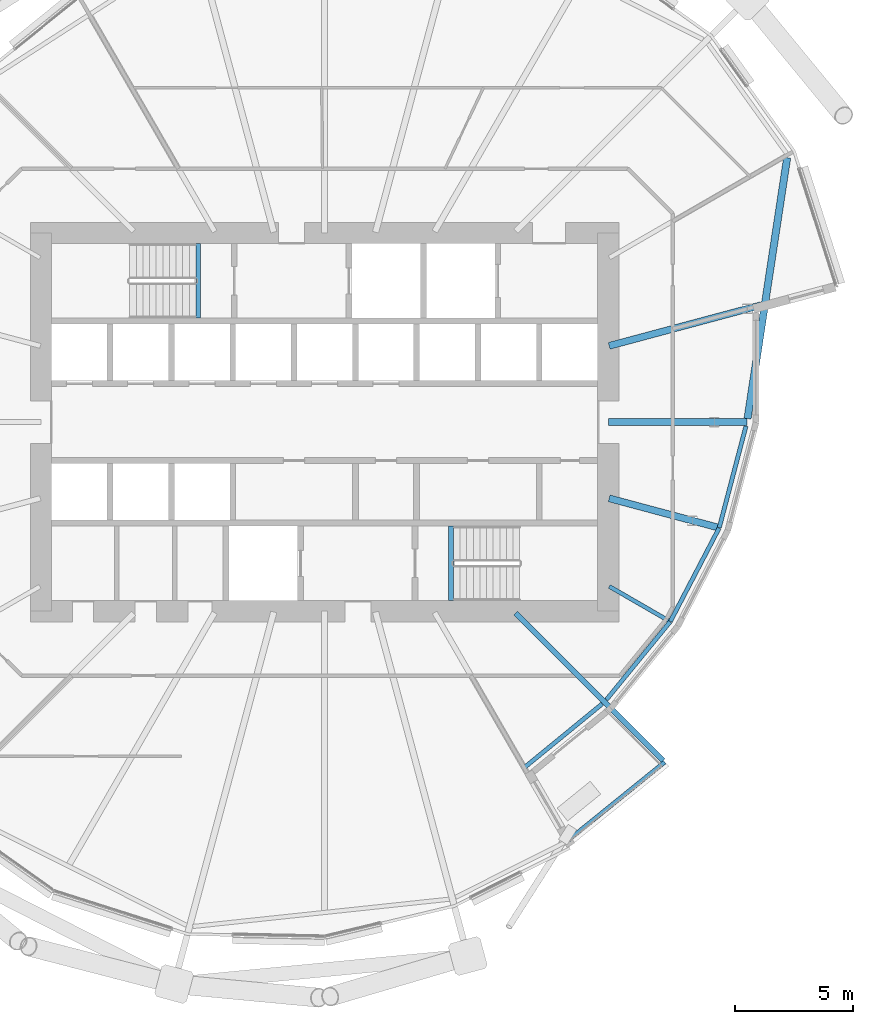
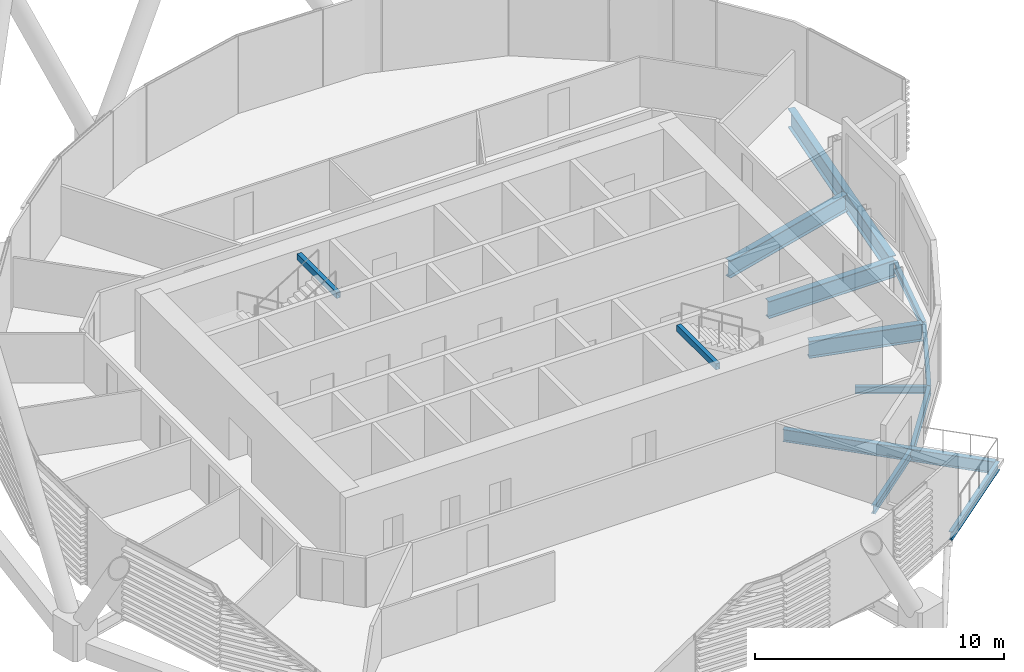
# One storey, part 17 of 40: 13 beams.
"""IFC4 building model written with IfcOpenShell, lengths in metres."""

from ifc_helpers import new_model, si_unit, direction, frame, origin, origin_2d, place, context, subcontext, project, spatial, hollow_rectangle, i_section, extrude, material, material_profile, profile_set, type_object, element, save


model = new_model("IFC4")

# Units and contexts
model_context = context("Model", 3, precision=1e-05, world=origin(), true_north=direction((0.0, 1.0)))
body_context = subcontext(model_context, "Body", "Model", "MODEL_VIEW")
ifc_project = project(units=[si_unit("LENGTHUNIT", "METRE"), si_unit("AREAUNIT", "SQUARE_METRE"), si_unit("VOLUMEUNIT", "CUBIC_METRE"), si_unit("PLANEANGLEUNIT", "RADIAN"), si_unit("MASSUNIT", "GRAM", prefix="KILO")], contexts=[model_context])

# Site, building, storey
site_placement = place(None, origin())
site = spatial("IfcSite", under=ifc_project, at=site_placement, CompositionType="ELEMENT")
building_placement = place(site_placement, origin())
building = spatial("IfcBuilding", under=site, at=building_placement, Name="Rimbun Link Towers", CompositionType="ELEMENT")
storey_placement = place(building_placement, frame((0.0, 0.0, 52.800048828125)))
storey = spatial("IfcBuildingStorey", under=building, at=storey_placement, Name="L12", CompositionType="ELEMENT", Elevation=52.800048828125)

# Beams
ifc_material_1 = material(Name="Steel S355J2", Category="steel")
ifc_material_profile_1 = material_profile(ifc_material_1, hollow_rectangle(XDim=0.199951171875, YDim=0.300048828125, WallThickness=0.011962890625, at=origin_2d()), Name="BOX 300x200x12")
ifc_profile_set_1 = profile_set([ifc_material_profile_1], Name="Steel S355J2")
beam_type_1 = type_object("IfcBeamType", Name="Stair trimmer beam BOX 300x200x12", PredefinedType="BEAM", material=ifc_profile_set_1)
for number, where, z_axis, x_axis, name in (
    (1, (26.39990234375, 7.550048828125, 3.489990234375), (0.0, -1.0, 0.0), (1.0, 0.0, 0.0), "L12 ST3 stair beam 1"),
    (2, (37.10009765625, -7.550048828125, 3.489990234375), (0.0, 1.0, 0.0), (-1.0, 0.0, 0.0), "L12 ST4 stair beam 1"),
):
    element("IfcBeam", number, at=place(storey_placement, frame(where, z_axis=z_axis, x_axis=x_axis)), inside=storey, type_object=beam_type_1, Name=name, PredefinedType="BEAM", context=body_context, shape_type="SweptSolid", body=[
        extrude(hollow_rectangle(XDim=0.199951171875, YDim=0.300048828125, WallThickness=0.011962890625, at=origin_2d()), origin(), (0.0, 0.0, 1.0), 3.150146484375),
    ])
ifc_material_2 = material(Name="Steel S355J2", Category="steel")
ifc_material_profile_2 = material_profile(ifc_material_2, i_section(OverallWidth=0.17138671875, OverallDepth=0.35498046875, WebThickness=0.00732421875, FlangeThickness=0.011474609375, at=origin_2d()), Name="UB 356x171x51")
ifc_profile_set_2 = profile_set([ifc_material_profile_2], Name="Steel S355J2")
beam_type_2 = type_object("IfcBeamType", Name="UB 356x171x51", PredefinedType="BEAM", material=ifc_profile_set_2)
beam_1_placement = place(storey_placement, frame((43.793701171875, -6.95361328125, -0.337646484375), z_axis=(0.866061796884, -0.499936960004, 0.0), x_axis=(0.499936960004, 0.866061796884, 0.0)))
element("IfcBeam", 3, at=beam_1_placement, inside=storey, type_object=beam_type_2, Name="Radial beam T2 L12 19", PredefinedType="BEAM", context=body_context, shape_type="SweptSolid", body=[
    extrude(i_section(OverallWidth=0.17138671875, OverallDepth=0.35498046875, WebThickness=0.00732421875, FlangeThickness=0.011474609375, at=origin_2d()), origin(), (0.0, 0.0, 1.0), 2.889892578125),
])
ifc_material_3 = material(Name="Steel S355J2", Category="steel")
ifc_material_profile_3 = material_profile(ifc_material_3, i_section(OverallWidth=0.177978515625, OverallDepth=0.406494140625, WebThickness=0.0078125, FlangeThickness=0.0126953125, at=origin_2d()), Name="UB 406x178x60")
ifc_profile_set_3 = profile_set([ifc_material_profile_3], Name="Steel S355J2")
beam_type_3 = type_object("IfcBeamType", Name="UB 406x178x60", PredefinedType="BEAM", material=ifc_profile_set_3)
beam_2_placement = place(storey_placement, frame((40.2333984375, -14.592041015625, -0.36328125), z_axis=(0.773815399432, 0.633411183673, 0.0), x_axis=(-0.633411183673, 0.773815399432, 0.0)))
element("IfcBeam", 4, at=beam_2_placement, inside=storey, type_object=beam_type_3, Name="Edge beam T2 L12 17 recess", PredefinedType="BEAM", context=body_context, shape_type="SweptSolid", body=[
    extrude(i_section(OverallWidth=0.177978515625, OverallDepth=0.406494140625, WebThickness=0.0078125, FlangeThickness=0.0126953125, at=origin_2d()), origin(), (0.0, 0.0, 1.0), 4.216796875),
])
beam_3_placement = place(storey_placement, frame((42.001953125, -17.73583984375, -0.36328125), z_axis=(0.777283341346, 0.629150703144, 0.0), x_axis=(-0.629150703144, 0.777283341346, 0.0)))
element("IfcBeam", 5, at=beam_3_placement, inside=storey, type_object=beam_type_3, Name="Edge beam T2 L12 17 terrace", PredefinedType="BEAM", context=body_context, shape_type="SweptSolid", body=[
    extrude(i_section(OverallWidth=0.177978515625, OverallDepth=0.406494140625, WebThickness=0.0078125, FlangeThickness=0.0126953125, at=origin_2d()), origin(), (0.0, 0.0, 1.0), 5.320068359375),
])
beam_4_placement = place(storey_placement, frame((43.671142578125, -11.746337890625, -0.36328125), z_axis=(0.633403258683, 0.773821886412, 0.0), x_axis=(-0.773821886412, 0.633403258683, 0.0)))
element("IfcBeam", 6, at=beam_4_placement, inside=storey, type_object=beam_type_3, Name="Edge beam T2 L12 18 recess", PredefinedType="BEAM", context=body_context, shape_type="SweptSolid", body=[
    extrude(i_section(OverallWidth=0.177978515625, OverallDepth=0.406494140625, WebThickness=0.0078125, FlangeThickness=0.0126953125, at=origin_2d()), origin(), (0.0, 0.0, 1.0), 4.258056640625),
])
beam_5_placement = place(storey_placement, frame((46.37939453125, -8.4345703125, -0.36328125), z_axis=(0.462768178353, 0.886479335971, 0.0), x_axis=(-0.886479335971, 0.462768178353, 0.0)))
element("IfcBeam", 7, at=beam_5_placement, inside=storey, type_object=beam_type_3, Name="Edge beam T2 L12 19 recess", PredefinedType="BEAM", context=body_context, shape_type="SweptSolid", body=[
    extrude(i_section(OverallWidth=0.177978515625, OverallDepth=0.406494140625, WebThickness=0.0078125, FlangeThickness=0.0126953125, at=origin_2d()), origin(), (0.0, 0.0, 1.0), 4.456787109375),
])
beam_6_placement = place(storey_placement, frame((48.44970703125, -4.46337890625, -0.36328125), z_axis=(0.254035761532, 0.967194826218, 0.0), x_axis=(-0.967194826218, 0.254035761532, 0.0)))
element("IfcBeam", 8, at=beam_6_placement, inside=storey, type_object=beam_type_3, Name="Edge beam T2 L12 20 recess", PredefinedType="BEAM", context=body_context, shape_type="SweptSolid", body=[
    extrude(i_section(OverallWidth=0.177978515625, OverallDepth=0.406494140625, WebThickness=0.0078125, FlangeThickness=0.0126953125, at=origin_2d()), origin(), (0.0, 0.0, 1.0), 4.43896484375),
])
ifc_material_4 = material(Name="Steel S355J2", Category="steel")
ifc_material_profile_4 = material_profile(ifc_material_4, i_section(OverallWidth=0.2275390625, OverallDepth=0.6025390625, WebThickness=0.010498046875, FlangeThickness=0.014892578125, at=origin_2d()), Name="UB 610x229x101")
ifc_profile_set_4 = profile_set([ifc_material_profile_4], Name="Steel S355J2")
beam_type_4 = type_object("IfcBeamType", Name="UB 610x229x101", PredefinedType="BEAM", material=ifc_profile_set_4)
beam_7_placement = place(storey_placement, frame((39.831298828125, -8.081298828125, -0.46142578125), z_axis=(0.707106781187, -0.707106781187, 0.0), x_axis=(0.707106781187, 0.707106781187, 0.0)))
element("IfcBeam", 9, at=beam_7_placement, inside=storey, type_object=beam_type_4, Name="Radial beam T2 L12 18", PredefinedType="BEAM", context=body_context, shape_type="SweptSolid", body=[
    extrude(i_section(OverallWidth=0.2275390625, OverallDepth=0.6025390625, WebThickness=0.010498046875, FlangeThickness=0.014892578125, at=origin_2d()), origin(), (0.0, 0.0, 1.0), 8.828369140625),
])
ifc_material_5 = material(Name="Steel S355J2", Category="steel")
ifc_material_profile_5 = material_profile(ifc_material_5, i_section(OverallWidth=0.29248046875, OverallDepth=0.8408203125, WebThickness=0.0126953125, FlangeThickness=0.021728515625, at=origin_2d()), Name="UB 838x292x194")
ifc_profile_set_5 = profile_set([ifc_material_profile_5], Name="Steel S355J2")
beam_type_5 = type_object("IfcBeamType", Name="UB 838x292x194", PredefinedType="BEAM", material=ifc_profile_set_5)
beam_8_placement = place(storey_placement, frame((43.788818359375, -3.225830078125, -0.580322265625), z_axis=(0.965932852714, -0.258792820704, 0.0), x_axis=(0.258792820704, 0.965932852714, 0.0)))
element("IfcBeam", 10, at=beam_8_placement, inside=storey, type_object=beam_type_5, Name="Radial beam T2 L12 20", PredefinedType="BEAM", context=body_context, shape_type="SweptSolid", body=[
    extrude(i_section(OverallWidth=0.29248046875, OverallDepth=0.8408203125, WebThickness=0.0126953125, FlangeThickness=0.021728515625, at=origin_2d()), origin(), (0.0, 0.0, 1.0), 4.73193359375),
])
beam_9_placement = place(storey_placement, frame((43.7509765625, 0.0, -0.580322265625), z_axis=(1.0, 0.0, 0.0), x_axis=(0.0, 1.0, 0.0)))
element("IfcBeam", 11, at=beam_9_placement, inside=storey, type_object=beam_type_5, Name="Radial beam T2 L12 21", PredefinedType="BEAM", context=body_context, shape_type="SweptSolid", body=[
    extrude(i_section(OverallWidth=0.29248046875, OverallDepth=0.8408203125, WebThickness=0.0126953125, FlangeThickness=0.021728515625, at=origin_2d()), origin(), (0.0, 0.0, 1.0), 5.870849609375),
])
beam_10_placement = place(storey_placement, frame((43.788818359375, 3.225830078125, -0.580322265625), z_axis=(0.965929878993, 0.258803919733, 0.0), x_axis=(-0.258803919733, 0.965929878993, 0.0)))
element("IfcBeam", 12, at=beam_10_placement, inside=storey, type_object=beam_type_5, Name="Radial beam T2 L12 22", PredefinedType="BEAM", context=body_context, shape_type="SweptSolid", body=[
    extrude(i_section(OverallWidth=0.29248046875, OverallDepth=0.8408203125, WebThickness=0.0126953125, FlangeThickness=0.021728515625, at=origin_2d()), origin(), (0.0, 0.0, 1.0), 6.65625),
])
ifc_material_6 = material(Name="Steel S355J2", Category="steel")
ifc_material_profile_6 = material_profile(ifc_material_6, i_section(OverallWidth=0.305419921875, OverallDepth=0.91845703125, WebThickness=0.017333984375, FlangeThickness=0.02783203125, at=origin_2d()), Name="UB 914x305x253")
ifc_profile_set_6 = profile_set([ifc_material_profile_6], Name="Steel S355J2")
beam_type_6 = type_object("IfcBeamType", Name="UB 914x305x253", PredefinedType="BEAM", material=ifc_profile_set_6)
beam_11_placement = place(storey_placement, frame((49.644287109375, 0.147216796875, -0.619140625), z_axis=(0.150195834445, 0.988656265502, 0.0), x_axis=(-0.988656265502, 0.150195834445, 0.0)))
element("IfcBeam", 13, at=beam_11_placement, inside=storey, type_object=beam_type_6, Name="Edge beam T2 L12 21-23", PredefinedType="BEAM", context=body_context, shape_type="SweptSolid", body=[
    extrude(i_section(OverallWidth=0.305419921875, OverallDepth=0.91845703125, WebThickness=0.017333984375, FlangeThickness=0.02783203125, at=origin_2d()), origin(), (0.0, 0.0, 1.0), 11.168701171875),
])

save(model, "model.ifc")
